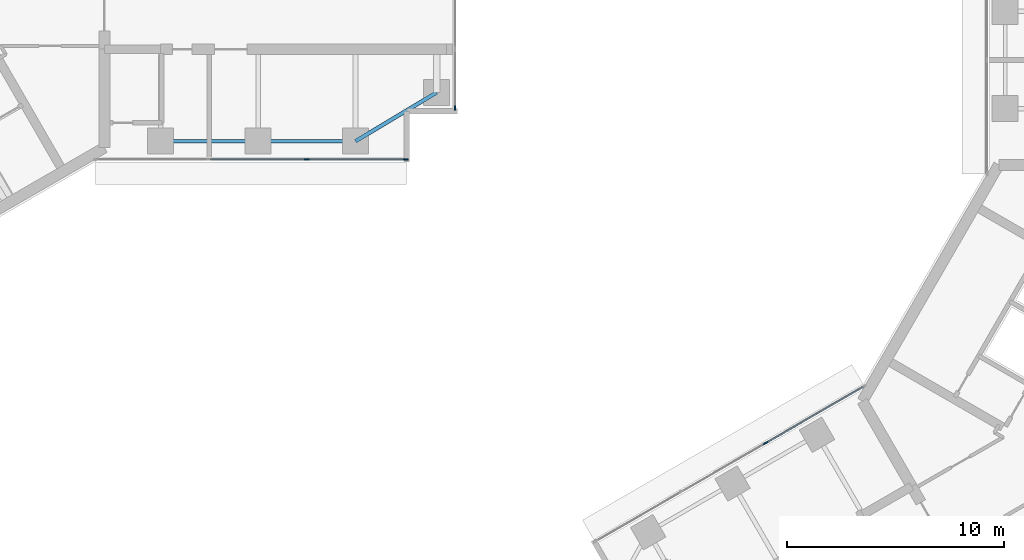
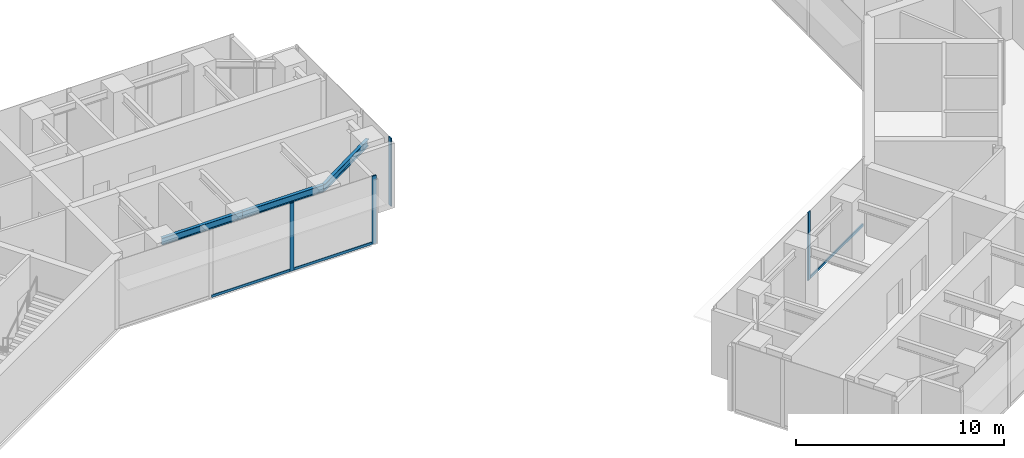
# One storey, part 4 of 17: 7 members, 3 beams, 3 elements without a shape of their own.
"""IFC4 building model written with IfcOpenShell, lengths in metres."""

from ifc_helpers import new_model, si_unit, direction, frame, origin, origin_2d, place, context, subcontext, project, spatial, rectangle, i_section, extrude, material, material_profile, profile_set, type_object, element, aggregate, save


model = new_model("IFC4")

# Units and contexts
model_context = context("Model", 3, precision=1e-05, world=origin(), true_north=direction((0.0, 1.0)))
body_context = subcontext(model_context, "Body", "Model", "MODEL_VIEW")
ifc_project = project(units=[si_unit("LENGTHUNIT", "METRE"), si_unit("AREAUNIT", "SQUARE_METRE"), si_unit("VOLUMEUNIT", "CUBIC_METRE"), si_unit("PLANEANGLEUNIT", "RADIAN"), si_unit("MASSUNIT", "GRAM", prefix="KILO")], contexts=[model_context])

# Site, building, storey
site_placement = place(None, origin())
site = spatial("IfcSite", under=ifc_project, at=site_placement, CompositionType="ELEMENT")
building_placement = place(site_placement, origin())
building = spatial("IfcBuilding", under=site, at=building_placement, Name="Upepo Twin Towers", CompositionType="ELEMENT")
storey_placement = place(building_placement, frame((0.0, 0.0, 174.5)))
storey = spatial("IfcBuildingStorey", under=building, at=storey_placement, Name="L42", CompositionType="ELEMENT", Elevation=174.5)

# Beams
ifc_material_1 = material(Name="Steel S355", Category="steel")
ifc_material_profile_1 = material_profile(ifc_material_1, i_section(OverallWidth=0.177978515625, OverallDepth=0.406494140625, WebThickness=0.0078125, FlangeThickness=0.0126953125, FilletRadius=0.01025390625, at=origin_2d()), Name="UB 406x178x60")
ifc_profile_set_1 = profile_set([ifc_material_profile_1], Name="Steel S355")
beam_type = type_object("IfcBeamType", Name="Beam UB 406x178x60", PredefinedType="BEAM", material=ifc_profile_set_1)
for number, where, z_axis, x_axis, name in (
    (1, (13.5, -6.0, 3.5966796875), (1.0, 0.0, 0.0), (0.0, 1.0, 0.0), "T1 edge beam AR 13.5-18.0"),
    (2, (18.0, -6.0, 3.5966796875), (1.0, 0.0, 0.0), (0.0, 1.0, 0.0), "T1 edge beam AR 18.0-22.5"),
):
    element("IfcBeam", number, at=place(storey_placement, frame(where, z_axis=z_axis, x_axis=x_axis)), inside=storey, type_object=beam_type, Name=name, PredefinedType="BEAM", context=body_context, shape_type="SweptSolid", body=[
        extrude(i_section(OverallWidth=0.177978515625, OverallDepth=0.406494140625, WebThickness=0.0078125, FlangeThickness=0.0126953125, FilletRadius=0.01025390625, at=origin_2d()), origin(), (0.0, 0.0, 1.0), 4.5),
    ])
beam_placement = place(storey_placement, frame((22.5, -6.0, 3.5966796875), z_axis=(0.857492925713, 0.514495755428, 0.0), x_axis=(-0.514495755428, 0.857492925713, 0.0)))
element("IfcBeam", 3, at=beam_placement, inside=storey, type_object=beam_type, Name="T1 nose edge beam AR", PredefinedType="BEAM", context=body_context, shape_type="SweptSolid", body=[
    extrude(i_section(OverallWidth=0.177978515625, OverallDepth=0.406494140625, WebThickness=0.0078125, FlangeThickness=0.0126953125, FilletRadius=0.01025390625, at=origin_2d()), origin(), (0.0, 0.0, 1.0), 4.373291015625),
])

# Curtain wall, members
ifc_material_2 = material(Name="Aluminium and fritted glass", Category="aluminium")
curtain_wall_type = type_object("IfcCurtainWallType", Name="Tower curtain wall TW3, fritted glass", PredefinedType="NOTDEFINED", material=ifc_material_2)
curtain_wall_1_placement = place(storey_placement, origin())
curtain_wall_1 = element("IfcCurtainWall", 4, at=curtain_wall_1_placement, inside=storey, type_object=curtain_wall_type, Name="T1 L42 wing A flank R curtain wall", PredefinedType="NOTDEFINED")
ifc_material_3 = material(Name="Aluminium mullion", Category="aluminium")
ifc_material_profile_2 = material_profile(ifc_material_3, rectangle(XDim=0.06494140625, YDim=0.22509765625, at=origin_2d()), Name="MULLION 65x225")
ifc_profile_set_2 = profile_set([ifc_material_profile_2], Name="Aluminium mullion")
member_type_1 = type_object("IfcMemberType", Name="Mullion 65x225 TW3", PredefinedType="MULLION", material=ifc_profile_set_2)
member_1_placement = place(storey_placement, frame((24.8173828125, -6.85009765625, 0.0), z_axis=(0.0, 0.0, 1.0), x_axis=(0.0, -1.0, 0.0)))
member_1 = element("IfcMember", 5, at=member_1_placement, type_object=member_type_1, Name="T1 L42 wing A flank R curtain wall mullion 1", PredefinedType="MULLION", context=body_context, shape_type="SweptSolid", body=[
    extrude(rectangle(XDim=0.06494140625, YDim=0.22509765625, at=origin_2d()), origin(), (0.0, 0.0, 1.0), 4.0),
])
member_2_placement = place(storey_placement, frame((20.25, -6.85009765625, 0.0), z_axis=(0.0, 0.0, 1.0), x_axis=(0.0, -1.0, 0.0)))
member_2 = element("IfcMember", 6, at=member_2_placement, type_object=member_type_1, Name="T1 L42 wing A flank R curtain wall mullion 2", PredefinedType="MULLION", context=body_context, shape_type="SweptSolid", body=[
    extrude(rectangle(XDim=0.06494140625, YDim=0.22509765625, at=origin_2d()), origin(), (0.0, 0.0, 1.0), 4.0),
])

# Curtain wall, member
curtain_wall_2_placement = place(storey_placement, origin())
curtain_wall_2 = element("IfcCurtainWall", 7, at=curtain_wall_2_placement, inside=storey, type_object=curtain_wall_type, Name="T1 L42 wing A nose curtain wall", PredefinedType="NOTDEFINED")
member_3_placement = place(storey_placement, frame((27.10009765625, -4.467529296875, 0.0), z_axis=(0.0, 0.0, 1.0), x_axis=(-1.0, 0.0, 0.0)))
member_3 = element("IfcMember", 8, at=member_3_placement, type_object=member_type_1, Name="T1 L42 wing A nose curtain wall mullion 1", PredefinedType="MULLION", context=body_context, shape_type="SweptSolid", body=[
    extrude(rectangle(XDim=0.06494140625, YDim=0.22509765625, at=origin_2d()), origin(), (0.0, 0.0, 1.0), 4.0),
])
aggregate(curtain_wall_2, [member_3])

curtain_wall_3_placement = place(storey_placement, origin())
curtain_wall_3 = element("IfcCurtainWall", 9, at=curtain_wall_3_placement, inside=storey, type_object=curtain_wall_type, Name="T2 L42 wing B flank R curtain wall", PredefinedType="NOTDEFINED")
member_4_placement = place(storey_placement, frame((41.43505859375, -19.942626953125, 0.0), z_axis=(0.0, 0.0, 1.0), x_axis=(-0.500000026527, 0.866025388469, 0.0)))
member_4 = element("IfcMember", 10, at=member_4_placement, type_object=member_type_1, Name="T2 L42 wing B flank R curtain wall mullion 3", PredefinedType="MULLION", context=body_context, shape_type="SweptSolid", body=[
    extrude(rectangle(XDim=0.06494140625, YDim=0.22509765625, at=origin_2d()), origin(), (0.0, 0.0, 1.0), 4.0),
])

# Member
ifc_material_4 = material(Name="Aluminium transom", Category="aluminium")
ifc_material_profile_3 = material_profile(ifc_material_4, rectangle(XDim=0.06494140625, YDim=0.14990234375, at=origin_2d()), Name="TRANSOM 65x150")
ifc_profile_set_3 = profile_set([ifc_material_profile_3], Name="Aluminium transom")
member_type_2 = type_object("IfcMemberType", Name="Transom 65x150 TW3", PredefinedType="USERDEFINED", material=ifc_profile_set_3)
member_5_placement = place(storey_placement, frame((24.784912109375, -6.85009765625, 0.074951171875), z_axis=(-1.0, 0.0, 0.0), x_axis=(0.0, -1.0, 0.0)))
member_5 = element("IfcMember", 11, at=member_5_placement, type_object=member_type_2, Name="T1 L42 wing A flank R curtain wall transom 1", ObjectType="TRANSOM", PredefinedType="USERDEFINED", context=body_context, shape_type="SweptSolid", body=[
    extrude(rectangle(XDim=0.06494140625, YDim=0.14990234375, at=origin_2d()), origin(), (0.0, 0.0, 1.0), 4.50244140625),
])

member_6_placement = place(storey_placement, frame((20.217529296875, -6.85009765625, 0.074951171875), z_axis=(-1.0, 0.0, 0.0), x_axis=(0.0, -1.0, 0.0)))
member_6 = element("IfcMember", 12, at=member_6_placement, type_object=member_type_2, Name="T1 L42 wing A flank R curtain wall transom 2", ObjectType="TRANSOM", PredefinedType="USERDEFINED", context=body_context, shape_type="SweptSolid", body=[
    extrude(rectangle(XDim=0.06494140625, YDim=0.14990234375, at=origin_2d()), origin(), (0.0, 0.0, 1.0), 4.43505859375),
])

aggregate(curtain_wall_1, [member_1, member_2, member_5, member_6])

member_7_placement = place(storey_placement, frame((41.463134765625, -19.926513671875, 0.074951171875), z_axis=(0.86602108507, 0.500007480159, 0.0), x_axis=(-0.500007480159, 0.86602108507, 0.0)))
member_7 = element("IfcMember", 13, at=member_7_placement, type_object=member_type_2, Name="T2 L42 wing B flank R curtain wall transom 3", ObjectType="TRANSOM", PredefinedType="USERDEFINED", context=body_context, shape_type="SweptSolid", body=[
    extrude(rectangle(XDim=0.06494140625, YDim=0.14990234375, at=origin_2d()), origin(), (0.0, 0.0, 1.0), 5.16552734375),
])

aggregate(curtain_wall_3, [member_4, member_7])

save(model, "model.ifc")
